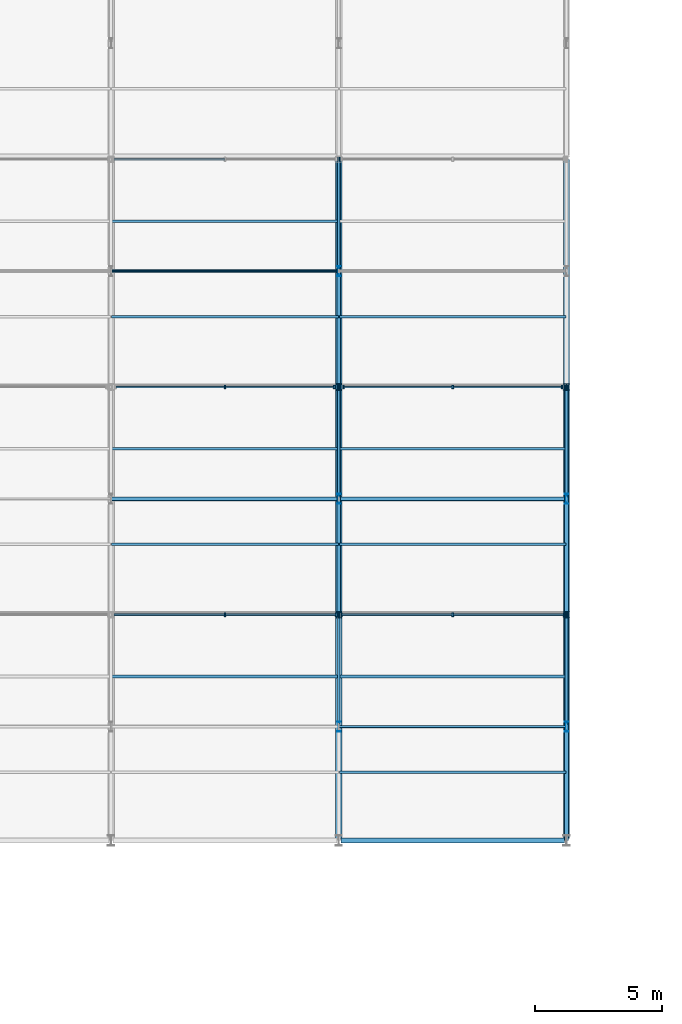
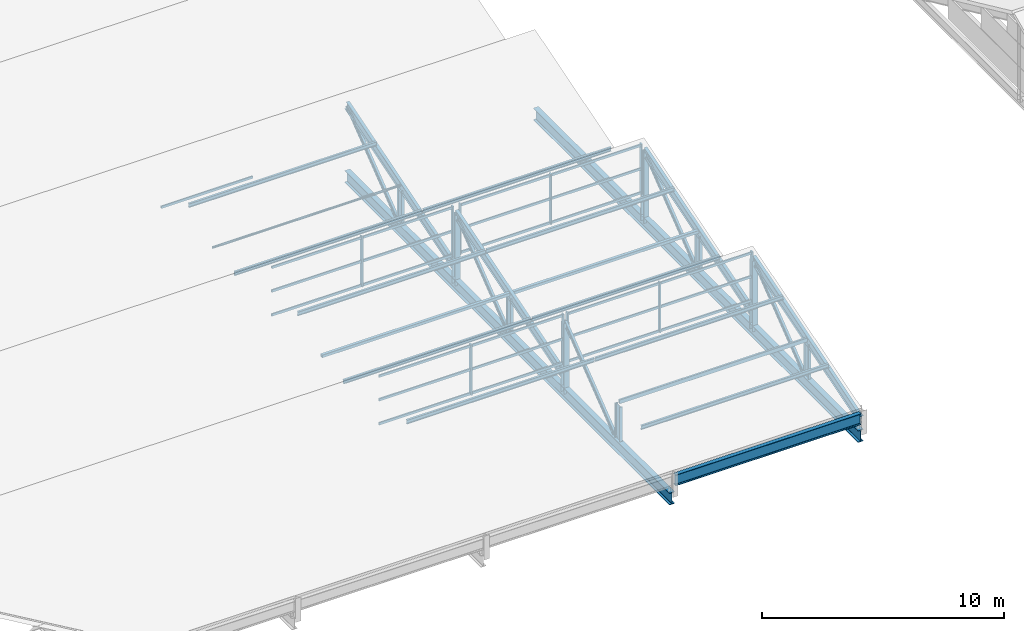
# One storey, part 77 of 163: 67 members, 3 beams, 5 elements without a shape of their own.
"""IFC4 building model written with IfcOpenShell, lengths in metres."""

from ifc_helpers import new_model, si_unit, direction, frame, origin, origin_2d, place, context, subcontext, project, spatial, rectangle, hollow_rectangle, hollow_circle, i_section, extrude, material, material_profile, profile_set, type_object, element, aggregate, save


model = new_model("IFC4")

# Units and contexts
model_context = context("Model", 3, precision=1e-05, world=origin(), true_north=direction((0.0, 1.0)))
body_context = subcontext(model_context, "Body", "Model", "MODEL_VIEW")
ifc_project = project(units=[si_unit("LENGTHUNIT", "METRE"), si_unit("AREAUNIT", "SQUARE_METRE"), si_unit("VOLUMEUNIT", "CUBIC_METRE"), si_unit("PLANEANGLEUNIT", "RADIAN"), si_unit("MASSUNIT", "GRAM", prefix="KILO")], contexts=[model_context])

# Site, building, storey
site_placement = place(None, origin())
site = spatial("IfcSite", under=ifc_project, at=site_placement, CompositionType="ELEMENT")
building_placement = place(site_placement, origin())
building = spatial("IfcBuilding", under=site, at=building_placement, Name="Tharagai Park Tramway Depot", CompositionType="ELEMENT")
storey_placement = place(building_placement, frame((0.0, 0.0, 8.39990234375)))
storey = spatial("IfcBuildingStorey", under=building, at=storey_placement, Name="L02", CompositionType="ELEMENT", Elevation=8.39990234375)

# Beams
ifc_material_1 = material(Name="Steel E350", Category="steel")
ifc_material_profile_1 = material_profile(ifc_material_1, i_section(OverallWidth=0.25, OverallDepth=0.60009765625, WebThickness=0.01171875, FlangeThickness=0.023681640625, FilletRadius=0.01708984375, at=origin_2d()), Name="ISWB 600")
ifc_profile_set_1 = profile_set([ifc_material_profile_1], Name="Steel E350")
beam_type_1 = type_object("IfcBeamType", Name="BM-01", PredefinedType="BEAM", material=ifc_profile_set_1)
for number, where, z_axis, x_axis, name in (
    (1, (135.0, 90.080078125, -0.25), (0.0, 1.0, 0.0), (-1.0, 0.0, 0.0), "Sawtooth Truss Bottom Tie Girder BM-01"),
    (2, (144.0, 90.080078125, -0.25), (0.0, 1.0, 0.0), (-1.0, 0.0, 0.0), "Sawtooth Truss Bottom Tie Girder BM-01"),
):
    element("IfcBeam", number, at=place(storey_placement, frame(where, z_axis=z_axis, x_axis=x_axis)), inside=storey, type_object=beam_type_1, Name=name, PredefinedType="BEAM", context=body_context, shape_type="SweptSolid", body=[
        extrude(i_section(OverallWidth=0.25, OverallDepth=0.60009765625, WebThickness=0.01171875, FlangeThickness=0.023681640625, FilletRadius=0.01708984375, at=origin_2d()), origin(), (0.0, 0.0, 1.0), 26.83984375),
    ])
ifc_material_profile_2 = material_profile(ifc_material_1, i_section(OverallWidth=0.18994140625, OverallDepth=0.550048828125, WebThickness=0.01123046875, FlangeThickness=0.019287109375, FilletRadius=0.01806640625, at=origin_2d()), Name="ISMB 550")
ifc_profile_set_2 = profile_set([ifc_material_profile_2], Name="Steel E350")
beam_type_2 = type_object("IfcBeamType", Name="BM-09", PredefinedType="BEAM", material=ifc_profile_set_2)
beam_placement = place(storey_placement, frame((135.080078125, 90.0, 0.72509765625), z_axis=(1.0, 0.0, 0.0), x_axis=(0.0, 1.0, 0.0)))
element("IfcBeam", 3, at=beam_placement, inside=storey, type_object=beam_type_2, Name="Sawtooth Valley Girder BM-09", PredefinedType="BEAM", context=body_context, shape_type="SweptSolid", body=[
    extrude(i_section(OverallWidth=0.18994140625, OverallDepth=0.550048828125, WebThickness=0.01123046875, FlangeThickness=0.019287109375, FilletRadius=0.01806640625, at=origin_2d()), origin(), (0.0, 0.0, 1.0), 8.83984375),
])

# Members
ifc_material_profile_3 = material_profile(ifc_material_1, i_section(OverallWidth=0.25, OverallDepth=0.25, WebThickness=0.0087890625, FlangeThickness=0.009765625, FilletRadius=0.010009765625, at=origin_2d()), Name="ISHB 250")
ifc_profile_set_3 = profile_set([ifc_material_profile_3], Name="Steel E350")
member_type_1 = type_object("IfcMemberType", Name="BR-01", PredefinedType="BRACE", material=ifc_profile_set_3)
for number, where, z_axis, x_axis, name in (
    (4, (135.0, 98.919921875, -0.25), (0.0, 0.0, 1.0), (1.0, 0.0, 0.0), "Sawtooth North Vertical Post BR-01"),
    (5, (135.0, 107.919921875, -0.25), (0.0, 0.0, 1.0), (1.0, 0.0, 0.0), "Sawtooth North Vertical Post BR-01"),
    (6, (144.0, 98.919921875, -0.25), (0.0, 0.0, 1.0), (1.0, 0.0, 0.0), "Sawtooth North Vertical Post BR-01"),
    (7, (144.0, 107.919921875, -0.25), (0.0, 0.0, 1.0), (1.0, 0.0, 0.0), "Sawtooth North Vertical Post BR-01"),
):
    element("IfcMember", number, at=place(storey_placement, frame(where, z_axis=z_axis, x_axis=x_axis)), inside=storey, type_object=member_type_1, Name=name, PredefinedType="BRACE", context=body_context, shape_type="SweptSolid", body=[
        extrude(i_section(OverallWidth=0.25, OverallDepth=0.25, WebThickness=0.0087890625, FlangeThickness=0.009765625, FilletRadius=0.010009765625, at=origin_2d()), origin(), (0.0, 0.0, 1.0), 3.55517578125),
    ])
ifc_material_profile_4 = material_profile(ifc_material_1, i_section(OverallWidth=0.110107421875, OverallDepth=0.22509765625, WebThickness=0.006591796875, FlangeThickness=0.01171875, FilletRadius=0.011962890625, at=origin_2d()), Name="ISMB 225")
ifc_profile_set_4 = profile_set([ifc_material_profile_4], Name="Steel E350")
member_type_2 = type_object("IfcMemberType", Name="BR-04", PredefinedType="BRACE", material=ifc_profile_set_4)
for number, where, z_axis, x_axis, name in (
    (8, (135.0, 94.64990234375, 0.0), (0.0, 0.790781596, 0.612098413188), (-1.0, 0.0, 0.0), "Sawtooth Truss Web Diagonal BR-04"),
    (9, (135.0, 103.64990234375, 0.0), (0.0, 0.790781596, 0.612098413188), (-1.0, 0.0, 0.0), "Sawtooth Truss Web Diagonal BR-04"),
    (10, (135.0, 112.64990234375, 0.0), (0.0, 0.790781596, 0.612098413188), (-1.0, 0.0, 0.0), "Sawtooth Truss Web Diagonal BR-04"),
    (11, (144.0, 94.64990234375, 0.0), (0.0, 0.790781596, 0.612098413188), (-1.0, 0.0, 0.0), "Sawtooth Truss Web Diagonal BR-04"),
    (12, (144.0, 103.64990234375, 0.0), (0.0, 0.790781596, 0.612098413188), (-1.0, 0.0, 0.0), "Sawtooth Truss Web Diagonal BR-04"),
):
    element("IfcMember", number, at=place(storey_placement, frame(where, z_axis=z_axis, x_axis=x_axis)), inside=storey, type_object=member_type_2, Name=name, PredefinedType="BRACE", context=body_context, shape_type="SweptSolid", body=[
        extrude(i_section(OverallWidth=0.110107421875, OverallDepth=0.22509765625, WebThickness=0.006591796875, FlangeThickness=0.01171875, FilletRadius=0.011962890625, at=origin_2d()), origin(), (0.0, 0.0, 1.0), 5.399658203125),
    ])
ifc_material_profile_5 = material_profile(ifc_material_1, hollow_rectangle(XDim=0.14990234375, YDim=0.14990234375, WallThickness=0.006103515625, InnerFilletRadius=0.006103515625, OuterFilletRadius=0.011962890625, at=origin_2d()), Name="SHS 150x150x6")
ifc_profile_set_5 = profile_set([ifc_material_profile_5], Name="Steel E350")
member_type_3 = type_object("IfcMemberType", Name="BR-05", PredefinedType="BRACE", material=ifc_profile_set_5)
for number, where, z_axis, x_axis, name in (
    (13, (126.02001953125, 103.5, 1.946533203125), (1.0, 0.0, 0.0), (0.0, 1.0, 0.0), "Sawtooth Tubular Tie Strut BR-05"),
    (14, (135.02001953125, 103.5, 1.946533203125), (1.0, 0.0, 0.0), (0.0, 1.0, 0.0), "Sawtooth Tubular Tie Strut BR-05"),
):
    element("IfcMember", number, at=place(storey_placement, frame(where, z_axis=z_axis, x_axis=x_axis)), inside=storey, type_object=member_type_3, Name=name, PredefinedType="BRACE", context=body_context, shape_type="SweptSolid", body=[
        extrude(hollow_rectangle(XDim=0.14990234375, YDim=0.14990234375, WallThickness=0.006103515625, InnerFilletRadius=0.006103515625, OuterFilletRadius=0.011962890625, at=origin_2d()), origin(), (0.0, 0.0, 1.0), 8.9599609375),
    ])
ifc_material_2 = material(Name="Steel E250", Category="steel")
ifc_material_profile_6 = material_profile(ifc_material_2, hollow_circle(Radius=0.05712890625, WallThickness=0.0048828125, at=origin_2d()), Name="CHS 114.3x5")
ifc_profile_set_6 = profile_set([ifc_material_profile_6], Name="Steel E250")
member_type_4 = type_object("IfcMemberType", Name="BR-06", PredefinedType="BRACE", material=ifc_profile_set_6)
member_1_placement = place(storey_placement, frame((126.02001953125, 112.5, 1.946533203125), z_axis=(1.0, 0.0, 0.0), x_axis=(0.0, 1.0, 0.0)))
element("IfcMember", 15, at=member_1_placement, inside=storey, type_object=member_type_4, Name="Sawtooth Tubular Tie Strut BR-06", PredefinedType="BRACE", context=body_context, shape_type="SweptSolid", body=[
    extrude(hollow_circle(Radius=0.05712890625, WallThickness=0.0048828125, at=origin_2d()), origin(), (0.0, 0.0, 1.0), 8.9599609375),
])

# Curtain wall, members
ifc_material_3 = material(Name="Anodised aluminium", Category="aluminium")
curtain_wall_type_1 = type_object("IfcCurtainWallType", Name="CW-04", PredefinedType="NOTDEFINED", material=ifc_material_3)
curtain_wall_1_placement = place(storey_placement, origin())
curtain_wall_1 = element("IfcCurtainWall", 16, at=curtain_wall_1_placement, inside=storey, type_object=curtain_wall_type_1, Name="Sawtooth North-Light Clerestory CW-04", PredefinedType="NOTDEFINED")
ifc_material_profile_7 = material_profile(ifc_material_3, rectangle(XDim=0.06494140625, YDim=0.1201171875, at=origin_2d()), Name="ALU 65x120")
ifc_profile_set_7 = profile_set([ifc_material_profile_7], Name="Anodised aluminium")
member_type_5 = type_object("IfcMemberType", Name="CM-01", PredefinedType="USERDEFINED", material=ifc_profile_set_7)
member_2_placement = place(storey_placement, frame((126.114990234375, 98.919921875, 1.26513671875), z_axis=(1.0, 0.0, 0.0), x_axis=(0.0, 1.0, 0.0)))
member_2 = element("IfcMember", 17, at=member_2_placement, type_object=member_type_5, Name="Sawtooth North-Light Clerestory Transom 1.1", ObjectType="TRANSOM", PredefinedType="USERDEFINED", context=body_context, shape_type="SweptSolid", body=[
    extrude(rectangle(XDim=0.06494140625, YDim=0.1201171875, at=origin_2d()), origin(), (0.0, 0.0, 1.0), 4.3701171875),
])
member_3_placement = place(storey_placement, frame((126.114990234375, 98.919921875, 2.4736328125), z_axis=(1.0, 0.0, 0.0), x_axis=(0.0, 1.0, 0.0)))
member_3 = element("IfcMember", 18, at=member_3_placement, type_object=member_type_5, Name="Sawtooth North-Light Clerestory Transom 1.2", ObjectType="TRANSOM", PredefinedType="USERDEFINED", context=body_context, shape_type="SweptSolid", body=[
    extrude(rectangle(XDim=0.06494140625, YDim=0.1201171875, at=origin_2d()), origin(), (0.0, 0.0, 1.0), 4.3701171875),
])
member_4_placement = place(storey_placement, frame((126.114990234375, 98.919921875, 3.662353515625), z_axis=(1.0, 0.0, 0.0), x_axis=(0.0, 1.0, 0.0)))
member_4 = element("IfcMember", 19, at=member_4_placement, type_object=member_type_5, Name="Sawtooth North-Light Clerestory Transom 1.3", ObjectType="TRANSOM", PredefinedType="USERDEFINED", context=body_context, shape_type="SweptSolid", body=[
    extrude(rectangle(XDim=0.06494140625, YDim=0.1201171875, at=origin_2d()), origin(), (0.0, 0.0, 1.0), 4.3701171875),
])
member_5_placement = place(storey_placement, frame((130.514892578125, 98.919921875, 1.26513671875), z_axis=(1.0, 0.0, 0.0), x_axis=(0.0, 1.0, 0.0)))
member_5 = element("IfcMember", 20, at=member_5_placement, type_object=member_type_5, Name="Sawtooth North-Light Clerestory Transom 2.1", ObjectType="TRANSOM", PredefinedType="USERDEFINED", context=body_context, shape_type="SweptSolid", body=[
    extrude(rectangle(XDim=0.06494140625, YDim=0.1201171875, at=origin_2d()), origin(), (0.0, 0.0, 1.0), 4.3701171875),
])
member_6_placement = place(storey_placement, frame((130.514892578125, 98.919921875, 2.4736328125), z_axis=(1.0, 0.0, 0.0), x_axis=(0.0, 1.0, 0.0)))
member_6 = element("IfcMember", 21, at=member_6_placement, type_object=member_type_5, Name="Sawtooth North-Light Clerestory Transom 2.2", ObjectType="TRANSOM", PredefinedType="USERDEFINED", context=body_context, shape_type="SweptSolid", body=[
    extrude(rectangle(XDim=0.06494140625, YDim=0.1201171875, at=origin_2d()), origin(), (0.0, 0.0, 1.0), 4.3701171875),
])
member_7_placement = place(storey_placement, frame((130.514892578125, 98.919921875, 3.662353515625), z_axis=(1.0, 0.0, 0.0), x_axis=(0.0, 1.0, 0.0)))
member_7 = element("IfcMember", 22, at=member_7_placement, type_object=member_type_5, Name="Sawtooth North-Light Clerestory Transom 2.3", ObjectType="TRANSOM", PredefinedType="USERDEFINED", context=body_context, shape_type="SweptSolid", body=[
    extrude(rectangle(XDim=0.06494140625, YDim=0.1201171875, at=origin_2d()), origin(), (0.0, 0.0, 1.0), 4.3701171875),
])

curtain_wall_2_placement = place(storey_placement, origin())
curtain_wall_2 = element("IfcCurtainWall", 23, at=curtain_wall_2_placement, inside=storey, type_object=curtain_wall_type_1, Name="Sawtooth North-Light Clerestory CW-04", PredefinedType="NOTDEFINED")
member_8_placement = place(storey_placement, frame((135.114990234375, 98.919921875, 1.26513671875), z_axis=(1.0, 0.0, 0.0), x_axis=(0.0, 1.0, 0.0)))
member_8 = element("IfcMember", 24, at=member_8_placement, type_object=member_type_5, Name="Sawtooth North-Light Clerestory Transom 1.1", ObjectType="TRANSOM", PredefinedType="USERDEFINED", context=body_context, shape_type="SweptSolid", body=[
    extrude(rectangle(XDim=0.06494140625, YDim=0.1201171875, at=origin_2d()), origin(), (0.0, 0.0, 1.0), 4.3701171875),
])
member_9_placement = place(storey_placement, frame((135.114990234375, 98.919921875, 2.4736328125), z_axis=(1.0, 0.0, 0.0), x_axis=(0.0, 1.0, 0.0)))
member_9 = element("IfcMember", 25, at=member_9_placement, type_object=member_type_5, Name="Sawtooth North-Light Clerestory Transom 1.2", ObjectType="TRANSOM", PredefinedType="USERDEFINED", context=body_context, shape_type="SweptSolid", body=[
    extrude(rectangle(XDim=0.06494140625, YDim=0.1201171875, at=origin_2d()), origin(), (0.0, 0.0, 1.0), 4.3701171875),
])
member_10_placement = place(storey_placement, frame((135.114990234375, 98.919921875, 3.662353515625), z_axis=(1.0, 0.0, 0.0), x_axis=(0.0, 1.0, 0.0)))
member_10 = element("IfcMember", 26, at=member_10_placement, type_object=member_type_5, Name="Sawtooth North-Light Clerestory Transom 1.3", ObjectType="TRANSOM", PredefinedType="USERDEFINED", context=body_context, shape_type="SweptSolid", body=[
    extrude(rectangle(XDim=0.06494140625, YDim=0.1201171875, at=origin_2d()), origin(), (0.0, 0.0, 1.0), 4.3701171875),
])
member_11_placement = place(storey_placement, frame((139.514892578125, 98.919921875, 1.26513671875), z_axis=(1.0, 0.0, 0.0), x_axis=(0.0, 1.0, 0.0)))
member_11 = element("IfcMember", 27, at=member_11_placement, type_object=member_type_5, Name="Sawtooth North-Light Clerestory Transom 2.1", ObjectType="TRANSOM", PredefinedType="USERDEFINED", context=body_context, shape_type="SweptSolid", body=[
    extrude(rectangle(XDim=0.06494140625, YDim=0.1201171875, at=origin_2d()), origin(), (0.0, 0.0, 1.0), 4.3701171875),
])
member_12_placement = place(storey_placement, frame((139.514892578125, 98.919921875, 2.4736328125), z_axis=(1.0, 0.0, 0.0), x_axis=(0.0, 1.0, 0.0)))
member_12 = element("IfcMember", 28, at=member_12_placement, type_object=member_type_5, Name="Sawtooth North-Light Clerestory Transom 2.2", ObjectType="TRANSOM", PredefinedType="USERDEFINED", context=body_context, shape_type="SweptSolid", body=[
    extrude(rectangle(XDim=0.06494140625, YDim=0.1201171875, at=origin_2d()), origin(), (0.0, 0.0, 1.0), 4.3701171875),
])
member_13_placement = place(storey_placement, frame((139.514892578125, 98.919921875, 3.662353515625), z_axis=(1.0, 0.0, 0.0), x_axis=(0.0, 1.0, 0.0)))
member_13 = element("IfcMember", 29, at=member_13_placement, type_object=member_type_5, Name="Sawtooth North-Light Clerestory Transom 2.3", ObjectType="TRANSOM", PredefinedType="USERDEFINED", context=body_context, shape_type="SweptSolid", body=[
    extrude(rectangle(XDim=0.06494140625, YDim=0.1201171875, at=origin_2d()), origin(), (0.0, 0.0, 1.0), 4.3701171875),
])

curtain_wall_type_2 = type_object("IfcCurtainWallType", Name="CW-03", PredefinedType="NOTDEFINED", material=ifc_material_3)
curtain_wall_3_placement = place(storey_placement, origin())
curtain_wall_3 = element("IfcCurtainWall", 30, at=curtain_wall_3_placement, inside=storey, type_object=curtain_wall_type_2, Name="Sawtooth North-Light Clerestory CW-03", PredefinedType="NOTDEFINED")
member_14_placement = place(storey_placement, frame((126.195068359375, 107.919921875, 1.26513671875), z_axis=(1.0, 0.0, 0.0), x_axis=(0.0, 1.0, 0.0)))
member_14 = element("IfcMember", 31, at=member_14_placement, type_object=member_type_5, Name="Sawtooth North-Light Clerestory Transom 1.1", ObjectType="TRANSOM", PredefinedType="USERDEFINED", context=body_context, shape_type="SweptSolid", body=[
    extrude(rectangle(XDim=0.06494140625, YDim=0.1201171875, at=origin_2d()), origin(), (0.0, 0.0, 1.0), 4.2900390625),
])
member_15_placement = place(storey_placement, frame((126.195068359375, 107.919921875, 2.4736328125), z_axis=(1.0, 0.0, 0.0), x_axis=(0.0, 1.0, 0.0)))
member_15 = element("IfcMember", 32, at=member_15_placement, type_object=member_type_5, Name="Sawtooth North-Light Clerestory Transom 1.2", ObjectType="TRANSOM", PredefinedType="USERDEFINED", context=body_context, shape_type="SweptSolid", body=[
    extrude(rectangle(XDim=0.06494140625, YDim=0.1201171875, at=origin_2d()), origin(), (0.0, 0.0, 1.0), 4.2900390625),
])
member_16_placement = place(storey_placement, frame((126.195068359375, 107.919921875, 3.662353515625), z_axis=(1.0, 0.0, 0.0), x_axis=(0.0, 1.0, 0.0)))
member_16 = element("IfcMember", 33, at=member_16_placement, type_object=member_type_5, Name="Sawtooth North-Light Clerestory Transom 1.3", ObjectType="TRANSOM", PredefinedType="USERDEFINED", context=body_context, shape_type="SweptSolid", body=[
    extrude(rectangle(XDim=0.06494140625, YDim=0.1201171875, at=origin_2d()), origin(), (0.0, 0.0, 1.0), 4.2900390625),
])
member_17_placement = place(storey_placement, frame((130.514892578125, 107.919921875, 1.26513671875), z_axis=(1.0, 0.0, 0.0), x_axis=(0.0, 1.0, 0.0)))
member_17 = element("IfcMember", 34, at=member_17_placement, type_object=member_type_5, Name="Sawtooth North-Light Clerestory Transom 2.1", ObjectType="TRANSOM", PredefinedType="USERDEFINED", context=body_context, shape_type="SweptSolid", body=[
    extrude(rectangle(XDim=0.06494140625, YDim=0.1201171875, at=origin_2d()), origin(), (0.0, 0.0, 1.0), 4.2900390625),
])
member_18_placement = place(storey_placement, frame((130.514892578125, 107.919921875, 2.4736328125), z_axis=(1.0, 0.0, 0.0), x_axis=(0.0, 1.0, 0.0)))
member_18 = element("IfcMember", 35, at=member_18_placement, type_object=member_type_5, Name="Sawtooth North-Light Clerestory Transom 2.2", ObjectType="TRANSOM", PredefinedType="USERDEFINED", context=body_context, shape_type="SweptSolid", body=[
    extrude(rectangle(XDim=0.06494140625, YDim=0.1201171875, at=origin_2d()), origin(), (0.0, 0.0, 1.0), 4.2900390625),
])
member_19_placement = place(storey_placement, frame((130.514892578125, 107.919921875, 3.662353515625), z_axis=(1.0, 0.0, 0.0), x_axis=(0.0, 1.0, 0.0)))
member_19 = element("IfcMember", 36, at=member_19_placement, type_object=member_type_5, Name="Sawtooth North-Light Clerestory Transom 2.3", ObjectType="TRANSOM", PredefinedType="USERDEFINED", context=body_context, shape_type="SweptSolid", body=[
    extrude(rectangle(XDim=0.06494140625, YDim=0.1201171875, at=origin_2d()), origin(), (0.0, 0.0, 1.0), 4.2900390625),
])

curtain_wall_4_placement = place(storey_placement, origin())
curtain_wall_4 = element("IfcCurtainWall", 37, at=curtain_wall_4_placement, inside=storey, type_object=curtain_wall_type_2, Name="Sawtooth North-Light Clerestory CW-03", PredefinedType="NOTDEFINED")
member_20_placement = place(storey_placement, frame((135.195068359375, 107.919921875, 1.26513671875), z_axis=(1.0, 0.0, 0.0), x_axis=(0.0, 1.0, 0.0)))
member_20 = element("IfcMember", 38, at=member_20_placement, type_object=member_type_5, Name="Sawtooth North-Light Clerestory Transom 1.1", ObjectType="TRANSOM", PredefinedType="USERDEFINED", context=body_context, shape_type="SweptSolid", body=[
    extrude(rectangle(XDim=0.06494140625, YDim=0.1201171875, at=origin_2d()), origin(), (0.0, 0.0, 1.0), 4.2900390625),
])
member_21_placement = place(storey_placement, frame((135.195068359375, 107.919921875, 2.4736328125), z_axis=(1.0, 0.0, 0.0), x_axis=(0.0, 1.0, 0.0)))
member_21 = element("IfcMember", 39, at=member_21_placement, type_object=member_type_5, Name="Sawtooth North-Light Clerestory Transom 1.2", ObjectType="TRANSOM", PredefinedType="USERDEFINED", context=body_context, shape_type="SweptSolid", body=[
    extrude(rectangle(XDim=0.06494140625, YDim=0.1201171875, at=origin_2d()), origin(), (0.0, 0.0, 1.0), 4.2900390625),
])
member_22_placement = place(storey_placement, frame((135.195068359375, 107.919921875, 3.662353515625), z_axis=(1.0, 0.0, 0.0), x_axis=(0.0, 1.0, 0.0)))
member_22 = element("IfcMember", 40, at=member_22_placement, type_object=member_type_5, Name="Sawtooth North-Light Clerestory Transom 1.3", ObjectType="TRANSOM", PredefinedType="USERDEFINED", context=body_context, shape_type="SweptSolid", body=[
    extrude(rectangle(XDim=0.06494140625, YDim=0.1201171875, at=origin_2d()), origin(), (0.0, 0.0, 1.0), 4.2900390625),
])
member_23_placement = place(storey_placement, frame((139.514892578125, 107.919921875, 1.26513671875), z_axis=(1.0, 0.0, 0.0), x_axis=(0.0, 1.0, 0.0)))
member_23 = element("IfcMember", 41, at=member_23_placement, type_object=member_type_5, Name="Sawtooth North-Light Clerestory Transom 2.1", ObjectType="TRANSOM", PredefinedType="USERDEFINED", context=body_context, shape_type="SweptSolid", body=[
    extrude(rectangle(XDim=0.06494140625, YDim=0.1201171875, at=origin_2d()), origin(), (0.0, 0.0, 1.0), 4.2900390625),
])
member_24_placement = place(storey_placement, frame((139.514892578125, 107.919921875, 2.4736328125), z_axis=(1.0, 0.0, 0.0), x_axis=(0.0, 1.0, 0.0)))
member_24 = element("IfcMember", 42, at=member_24_placement, type_object=member_type_5, Name="Sawtooth North-Light Clerestory Transom 2.2", ObjectType="TRANSOM", PredefinedType="USERDEFINED", context=body_context, shape_type="SweptSolid", body=[
    extrude(rectangle(XDim=0.06494140625, YDim=0.1201171875, at=origin_2d()), origin(), (0.0, 0.0, 1.0), 4.2900390625),
])
member_25_placement = place(storey_placement, frame((139.514892578125, 107.919921875, 3.662353515625), z_axis=(1.0, 0.0, 0.0), x_axis=(0.0, 1.0, 0.0)))
member_25 = element("IfcMember", 43, at=member_25_placement, type_object=member_type_5, Name="Sawtooth North-Light Clerestory Transom 2.3", ObjectType="TRANSOM", PredefinedType="USERDEFINED", context=body_context, shape_type="SweptSolid", body=[
    extrude(rectangle(XDim=0.06494140625, YDim=0.1201171875, at=origin_2d()), origin(), (0.0, 0.0, 1.0), 4.2900390625),
])

# Curtain wall, member
curtain_wall_5_placement = place(storey_placement, origin())
curtain_wall_5 = element("IfcCurtainWall", 44, at=curtain_wall_5_placement, inside=storey, type_object=curtain_wall_type_1, Name="Sawtooth North-Light Clerestory CW-04", PredefinedType="NOTDEFINED")
member_26_placement = place(storey_placement, frame((126.114990234375, 116.919921875, 1.26513671875), z_axis=(1.0, 0.0, 0.0), x_axis=(0.0, 1.0, 0.0)))
member_26 = element("IfcMember", 45, at=member_26_placement, type_object=member_type_5, Name="Sawtooth North-Light Clerestory Transom 1.1", ObjectType="TRANSOM", PredefinedType="USERDEFINED", context=body_context, shape_type="SweptSolid", body=[
    extrude(rectangle(XDim=0.06494140625, YDim=0.1201171875, at=origin_2d()), origin(), (0.0, 0.0, 1.0), 4.3701171875),
])
aggregate(curtain_wall_5, [member_26])

# Member
ifc_material_profile_8 = material_profile(ifc_material_3, rectangle(XDim=0.06494140625, YDim=0.14990234375, at=origin_2d()), Name="ALU 65x150")
ifc_profile_set_8 = profile_set([ifc_material_profile_8], Name="Anodised aluminium")
member_type_6 = type_object("IfcMemberType", Name="CM-03", PredefinedType="MULLION", material=ifc_profile_set_8)
member_27_placement = place(storey_placement, frame((130.5, 98.919921875, 1.2001953125), z_axis=(0.0, 0.0, 1.0), x_axis=(1.0, 0.0, 0.0)))
member_27 = element("IfcMember", 46, at=member_27_placement, type_object=member_type_6, Name="Sawtooth North-Light Clerestory Mullion 2", PredefinedType="MULLION", context=body_context, shape_type="SweptSolid", body=[
    extrude(rectangle(XDim=0.06494140625, YDim=0.14990234375, at=origin_2d()), origin(), (0.0, 0.0, 1.0), 2.547119140625),
])

member_28_placement = place(storey_placement, frame((134.89990234375, 98.919921875, 1.2001953125), z_axis=(0.0, 0.0, 1.0), x_axis=(1.0, 0.0, 0.0)))
member_28 = element("IfcMember", 47, at=member_28_placement, type_object=member_type_6, Name="Sawtooth North-Light Clerestory Mullion 3", PredefinedType="MULLION", context=body_context, shape_type="SweptSolid", body=[
    extrude(rectangle(XDim=0.06494140625, YDim=0.14990234375, at=origin_2d()), origin(), (0.0, 0.0, 1.0), 2.547119140625),
])

aggregate(curtain_wall_1, [member_27, member_28, member_2, member_3, member_4, member_5, member_6, member_7])

member_29_placement = place(storey_placement, frame((135.10009765625, 98.919921875, 1.2001953125), z_axis=(0.0, 0.0, 1.0), x_axis=(1.0, 0.0, 0.0)))
member_29 = element("IfcMember", 48, at=member_29_placement, type_object=member_type_6, Name="Sawtooth North-Light Clerestory Mullion 1", PredefinedType="MULLION", context=body_context, shape_type="SweptSolid", body=[
    extrude(rectangle(XDim=0.06494140625, YDim=0.14990234375, at=origin_2d()), origin(), (0.0, 0.0, 1.0), 2.547119140625),
])

member_30_placement = place(storey_placement, frame((139.5, 98.919921875, 1.2001953125), z_axis=(0.0, 0.0, 1.0), x_axis=(1.0, 0.0, 0.0)))
member_30 = element("IfcMember", 49, at=member_30_placement, type_object=member_type_6, Name="Sawtooth North-Light Clerestory Mullion 2", PredefinedType="MULLION", context=body_context, shape_type="SweptSolid", body=[
    extrude(rectangle(XDim=0.06494140625, YDim=0.14990234375, at=origin_2d()), origin(), (0.0, 0.0, 1.0), 2.547119140625),
])

member_31_placement = place(storey_placement, frame((143.89990234375, 98.919921875, 1.2001953125), z_axis=(0.0, 0.0, 1.0), x_axis=(1.0, 0.0, 0.0)))
member_31 = element("IfcMember", 50, at=member_31_placement, type_object=member_type_6, Name="Sawtooth North-Light Clerestory Mullion 3", PredefinedType="MULLION", context=body_context, shape_type="SweptSolid", body=[
    extrude(rectangle(XDim=0.06494140625, YDim=0.14990234375, at=origin_2d()), origin(), (0.0, 0.0, 1.0), 2.547119140625),
])

aggregate(curtain_wall_2, [member_29, member_30, member_31, member_8, member_9, member_10, member_11, member_12, member_13])

member_32_placement = place(storey_placement, frame((130.5, 107.919921875, 1.2001953125), z_axis=(0.0, 0.0, 1.0), x_axis=(1.0, 0.0, 0.0)))
member_32 = element("IfcMember", 51, at=member_32_placement, type_object=member_type_6, Name="Sawtooth North-Light Clerestory Mullion 2", PredefinedType="MULLION", context=body_context, shape_type="SweptSolid", body=[
    extrude(rectangle(XDim=0.06494140625, YDim=0.14990234375, at=origin_2d()), origin(), (0.0, 0.0, 1.0), 2.547119140625),
])

member_33_placement = place(storey_placement, frame((134.820068359375, 107.919921875, 1.2001953125), z_axis=(0.0, 0.0, 1.0), x_axis=(1.0, 0.0, 0.0)))
member_33 = element("IfcMember", 52, at=member_33_placement, type_object=member_type_6, Name="Sawtooth North-Light Clerestory Mullion 3", PredefinedType="MULLION", context=body_context, shape_type="SweptSolid", body=[
    extrude(rectangle(XDim=0.06494140625, YDim=0.14990234375, at=origin_2d()), origin(), (0.0, 0.0, 1.0), 2.547119140625),
])

aggregate(curtain_wall_3, [member_32, member_33, member_14, member_15, member_16, member_17, member_18, member_19])

member_34_placement = place(storey_placement, frame((135.179931640625, 107.919921875, 1.2001953125), z_axis=(0.0, 0.0, 1.0), x_axis=(1.0, 0.0, 0.0)))
member_34 = element("IfcMember", 53, at=member_34_placement, type_object=member_type_6, Name="Sawtooth North-Light Clerestory Mullion 1", PredefinedType="MULLION", context=body_context, shape_type="SweptSolid", body=[
    extrude(rectangle(XDim=0.06494140625, YDim=0.14990234375, at=origin_2d()), origin(), (0.0, 0.0, 1.0), 2.547119140625),
])

member_35_placement = place(storey_placement, frame((139.5, 107.919921875, 1.2001953125), z_axis=(0.0, 0.0, 1.0), x_axis=(1.0, 0.0, 0.0)))
member_35 = element("IfcMember", 54, at=member_35_placement, type_object=member_type_6, Name="Sawtooth North-Light Clerestory Mullion 2", PredefinedType="MULLION", context=body_context, shape_type="SweptSolid", body=[
    extrude(rectangle(XDim=0.06494140625, YDim=0.14990234375, at=origin_2d()), origin(), (0.0, 0.0, 1.0), 2.547119140625),
])

member_36_placement = place(storey_placement, frame((143.820068359375, 107.919921875, 1.2001953125), z_axis=(0.0, 0.0, 1.0), x_axis=(1.0, 0.0, 0.0)))
member_36 = element("IfcMember", 55, at=member_36_placement, type_object=member_type_6, Name="Sawtooth North-Light Clerestory Mullion 3", PredefinedType="MULLION", context=body_context, shape_type="SweptSolid", body=[
    extrude(rectangle(XDim=0.06494140625, YDim=0.14990234375, at=origin_2d()), origin(), (0.0, 0.0, 1.0), 2.547119140625),
])

aggregate(curtain_wall_4, [member_34, member_35, member_36, member_20, member_21, member_22, member_23, member_24, member_25])

# Members
ifc_material_profile_9 = material_profile(ifc_material_2, i_section(OverallWidth=0.10009765625, OverallDepth=0.199951171875, WebThickness=0.00537109375, FlangeThickness=0.00732421875, FilletRadius=0.009033203125, at=origin_2d()), Name="ISLB 200")
ifc_profile_set_9 = profile_set([ifc_material_profile_9], Name="Steel E250")
member_type_7 = type_object("IfcMemberType", Name="PR-03", PredefinedType="PURLIN", material=ifc_profile_set_9)
for number, where, z_axis, x_axis, name in (
    (56, (126.02001953125, 101.699951171875, 1.733154296875), (1.0, 0.0, 0.0), (0.0, 1.0, 0.0), "Sawtooth Roof Purlin PR-03"),
    (57, (126.02001953125, 105.47998046875, 2.87451171875), (1.0, 0.0, 0.0), (0.0, 1.0, 0.0), "Sawtooth Roof Purlin PR-03"),
    (58, (135.02001953125, 101.699951171875, 1.733154296875), (1.0, 0.0, 0.0), (0.0, 1.0, 0.0), "Sawtooth Roof Purlin PR-03"),
    (59, (135.02001953125, 105.47998046875, 2.87451171875), (1.0, 0.0, 0.0), (0.0, 1.0, 0.0), "Sawtooth Roof Purlin PR-03"),
):
    element("IfcMember", number, at=place(storey_placement, frame(where, z_axis=z_axis, x_axis=x_axis)), inside=storey, type_object=member_type_7, Name=name, PredefinedType="PURLIN", context=body_context, shape_type="SweptSolid", body=[
        extrude(i_section(OverallWidth=0.10009765625, OverallDepth=0.199951171875, WebThickness=0.00537109375, FlangeThickness=0.00732421875, FilletRadius=0.009033203125, at=origin_2d()), origin(), (0.0, 0.0, 1.0), 8.9599609375),
    ])
ifc_material_profile_10 = material_profile(ifc_material_2, i_section(OverallWidth=0.10009765625, OverallDepth=0.199951171875, WebThickness=0.005615234375, FlangeThickness=0.0107421875, FilletRadius=0.010986328125, at=origin_2d()), Name="ISMB 200")
ifc_profile_set_10 = profile_set([ifc_material_profile_10], Name="Steel E250")
member_type_8 = type_object("IfcMemberType", Name="PR-04", PredefinedType="PURLIN", material=ifc_profile_set_10)
for number, where, z_axis, x_axis, name in (
    (60, (126.02001953125, 96.47998046875, 2.87451171875), (1.0, 0.0, 0.0), (0.0, 1.0, 0.0), "Sawtooth Roof Purlin PR-04"),
    (61, (126.02001953125, 110.699951171875, 1.733154296875), (1.0, 0.0, 0.0), (0.0, 1.0, 0.0), "Sawtooth Roof Purlin PR-04"),
    (62, (126.02001953125, 114.47998046875, 2.87451171875), (1.0, 0.0, 0.0), (0.0, 1.0, 0.0), "Sawtooth Roof Purlin PR-04"),
    (63, (135.02001953125, 92.699951171875, 1.733154296875), (1.0, 0.0, 0.0), (0.0, 1.0, 0.0), "Sawtooth Roof Purlin PR-04"),
    (64, (135.02001953125, 96.47998046875, 2.87451171875), (1.0, 0.0, 0.0), (0.0, 1.0, 0.0), "Sawtooth Roof Purlin PR-04"),
    (65, (135.02001953125, 110.699951171875, 1.733154296875), (1.0, 0.0, 0.0), (0.0, 1.0, 0.0), "Sawtooth Roof Purlin PR-04"),
):
    element("IfcMember", number, at=place(storey_placement, frame(where, z_axis=z_axis, x_axis=x_axis)), inside=storey, type_object=member_type_8, Name=name, PredefinedType="PURLIN", context=body_context, shape_type="SweptSolid", body=[
        extrude(i_section(OverallWidth=0.10009765625, OverallDepth=0.199951171875, WebThickness=0.005615234375, FlangeThickness=0.0107421875, FilletRadius=0.010986328125, at=origin_2d()), origin(), (0.0, 0.0, 1.0), 8.9599609375),
    ])
ifc_material_profile_11 = material_profile(ifc_material_1, hollow_rectangle(XDim=0.10009765625, YDim=0.199951171875, WallThickness=0.006103515625, InnerFilletRadius=0.006103515625, OuterFilletRadius=0.011962890625, at=origin_2d()), Name="RHS 200x100x6")
ifc_profile_set_11 = profile_set([ifc_material_profile_11], Name="Steel E350")
member_type_9 = type_object("IfcMemberType", Name="RF-04", PredefinedType="RAFTER", material=ifc_profile_set_11)
member_37_placement = place(storey_placement, frame((135.02001953125, 94.5, 1.946533203125), z_axis=(1.0, 0.0, 0.0), x_axis=(0.0, 1.0, 0.0)))
element("IfcMember", 66, at=member_37_placement, inside=storey, type_object=member_type_9, Name="Sawtooth Tubular Tie Strut RF-04", PredefinedType="RAFTER", context=body_context, shape_type="SweptSolid", body=[
    extrude(hollow_rectangle(XDim=0.10009765625, YDim=0.199951171875, WallThickness=0.006103515625, InnerFilletRadius=0.006103515625, OuterFilletRadius=0.011962890625, at=origin_2d()), origin(), (0.0, 0.0, 1.0), 8.9599609375),
])
ifc_material_profile_12 = material_profile(ifc_material_1, i_section(OverallWidth=0.14990234375, OverallDepth=0.449951171875, WebThickness=0.009521484375, FlangeThickness=0.017333984375, FilletRadius=0.014892578125, at=origin_2d()), Name="ISMB 450")
ifc_profile_set_12 = profile_set([ifc_material_profile_12], Name="Steel E350")
member_type_10 = type_object("IfcMemberType", Name="TC-05", PredefinedType="CHORD", material=ifc_profile_set_12)
for number, where, z_axis, x_axis, name in (
    (67, (135.0, 99.06005859375, 0.587890625), (0.0, 0.956231486327, 0.29261125159), (-1.0, 0.0, 0.0), "Sawtooth Top Chord TC-05"),
    (68, (135.0, 108.06005859375, 0.587890625), (0.0, 0.956231486327, 0.29261125159), (-1.0, 0.0, 0.0), "Sawtooth Top Chord TC-05"),
    (69, (144.0, 90.06005859375, 0.587890625), (0.0, 0.956231486327, 0.29261125159), (-1.0, 0.0, 0.0), "Sawtooth Top Chord TC-05"),
    (70, (144.0, 99.06005859375, 0.587890625), (0.0, 0.956231486327, 0.29261125159), (-1.0, 0.0, 0.0), "Sawtooth Top Chord TC-05"),
):
    element("IfcMember", number, at=place(storey_placement, frame(where, z_axis=z_axis, x_axis=x_axis)), inside=storey, type_object=member_type_10, Name=name, PredefinedType="CHORD", context=body_context, shape_type="SweptSolid", body=[
        extrude(i_section(OverallWidth=0.14990234375, OverallDepth=0.449951171875, WebThickness=0.009521484375, FlangeThickness=0.017333984375, FilletRadius=0.014892578125, at=origin_2d()), origin(), (0.0, 0.0, 1.0), 9.286376953125),
    ])
ifc_material_profile_13 = material_profile(ifc_material_1, i_section(OverallWidth=0.139892578125, OverallDepth=0.39990234375, WebThickness=0.0087890625, FlangeThickness=0.01611328125, FilletRadius=0.013916015625, at=origin_2d()), Name="ISMB 400")
ifc_profile_set_13 = profile_set([ifc_material_profile_13], Name="Steel E350")
member_type_11 = type_object("IfcMemberType", Name="TC-06", PredefinedType="CHORD", material=ifc_profile_set_13)
for number, where, z_axis, x_axis, name in (
    (71, (135.0, 94.5, -0.0498046875), (0.0, 0.0, 1.0), (1.0, 0.0, 0.0), "Sawtooth Mid-Tooth Strut TC-06"),
    (72, (135.0, 103.5, -0.0498046875), (0.0, 0.0, 1.0), (1.0, 0.0, 0.0), "Sawtooth Mid-Tooth Strut TC-06"),
    (73, (135.0, 112.5, -0.0498046875), (0.0, 0.0, 1.0), (1.0, 0.0, 0.0), "Sawtooth Mid-Tooth Strut TC-06"),
    (74, (144.0, 94.5, -0.0498046875), (0.0, 0.0, 1.0), (1.0, 0.0, 0.0), "Sawtooth Mid-Tooth Strut TC-06"),
    (75, (144.0, 103.5, -0.0498046875), (0.0, 0.0, 1.0), (1.0, 0.0, 0.0), "Sawtooth Mid-Tooth Strut TC-06"),
):
    element("IfcMember", number, at=place(storey_placement, frame(where, z_axis=z_axis, x_axis=x_axis)), inside=storey, type_object=member_type_11, Name=name, PredefinedType="CHORD", context=body_context, shape_type="SweptSolid", body=[
        extrude(i_section(OverallWidth=0.139892578125, OverallDepth=0.39990234375, WebThickness=0.0087890625, FlangeThickness=0.01611328125, FilletRadius=0.013916015625, at=origin_2d()), origin(), (0.0, 0.0, 1.0), 1.846435546875),
    ])

save(model, "model.ifc")
